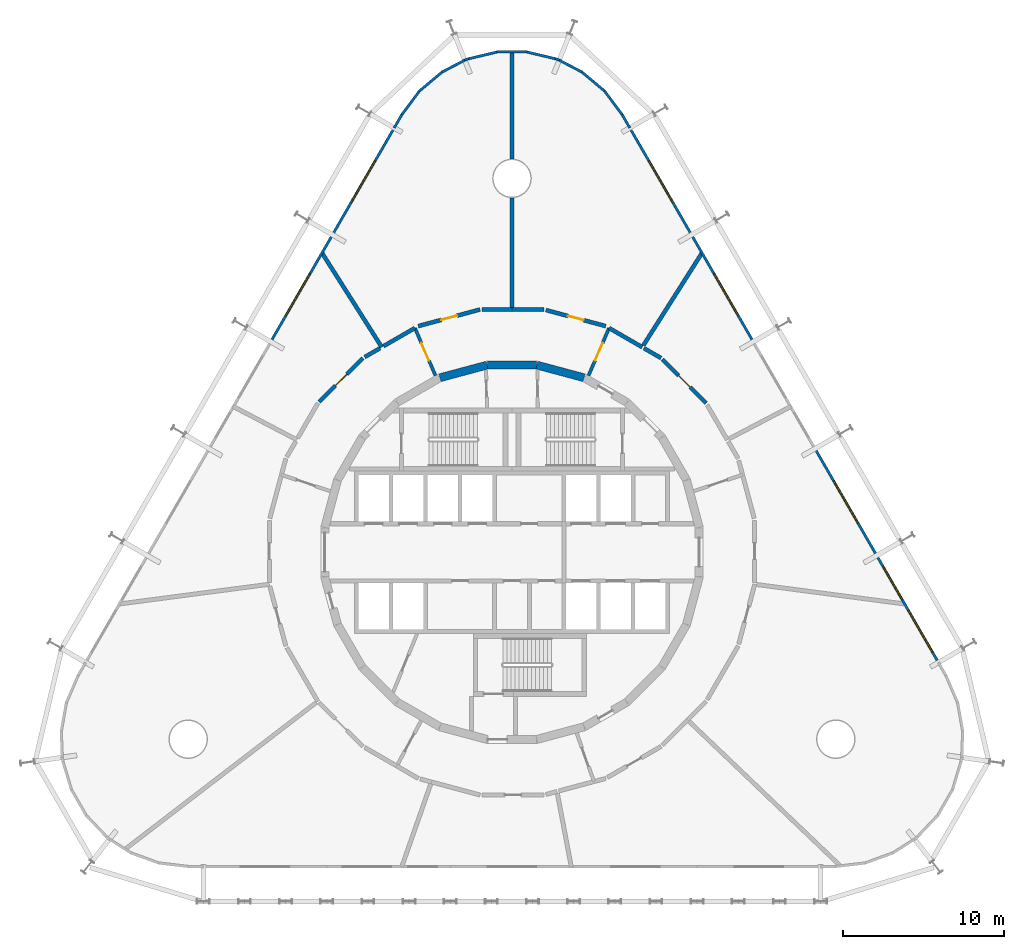
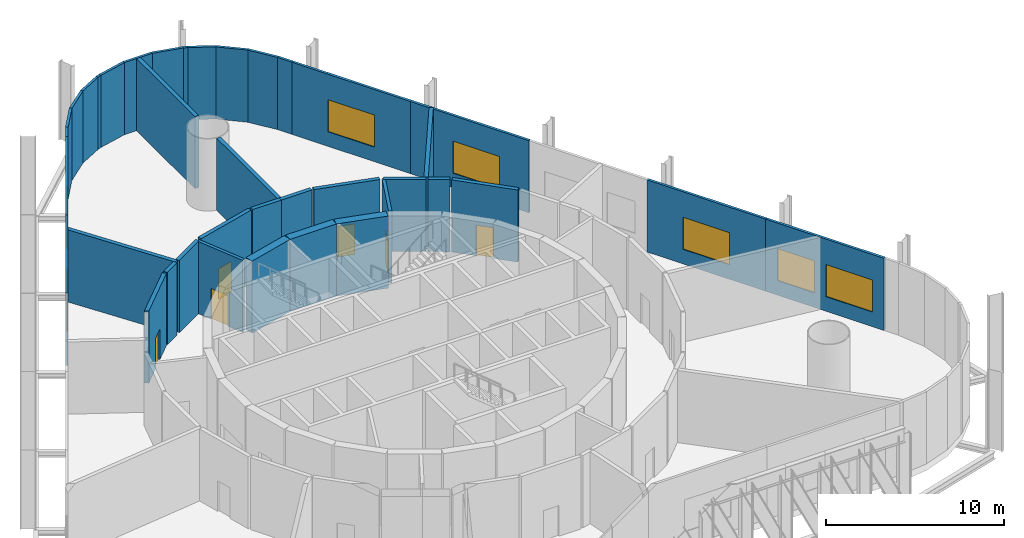
# One storey, part 9 of 11: 38 walls, 7 windows, 6 doors, 13 openings.
"""IFC4 building model written with IfcOpenShell, lengths in metres."""

from ifc_helpers import new_model, si_unit, direction, frame, frame_2d, origin, place, context, subcontext, project, spatial, rectangle, extrude, material, layer, layer_set, type_object, element, fill, save


model = new_model("IFC4")

# Units and contexts
model_context = context("Model", 3, precision=1e-05, world=origin(), true_north=direction((0.0, 1.0)))
body_context = subcontext(model_context, "Body", "Model", "MODEL_VIEW")
ifc_project = project(units=[si_unit("LENGTHUNIT", "METRE"), si_unit("AREAUNIT", "SQUARE_METRE"), si_unit("VOLUMEUNIT", "CUBIC_METRE"), si_unit("PLANEANGLEUNIT", "RADIAN"), si_unit("MASSUNIT", "GRAM", prefix="KILO")], contexts=[model_context])

# Site, building, storey
site_placement = place(None, origin())
site = spatial("IfcSite", under=ifc_project, at=site_placement, CompositionType="ELEMENT")
building_placement = place(site_placement, origin())
building = spatial("IfcBuilding", under=site, at=building_placement, Name="Spindle Arch Residences", CompositionType="ELEMENT")
storey_placement = place(building_placement, frame((0.0, 0.0, 33.0)))
storey = spatial("IfcBuildingStorey", under=building, at=storey_placement, Name="L06", CompositionType="ELEMENT", Elevation=33.0)

# Walls
ifc_material_1 = material(Name="Concrete C50/60", Category="concrete")
ifc_layer_1 = layer(ifc_material_1, 0.5)
ifc_layer_set_1 = layer_set([ifc_layer_1], Name="Core outline wall 500")
wall_type_1 = type_object("IfcWallType", Name="Core outline wall 500", PredefinedType="SHEAR", material=ifc_layer_set_1)
for number, where, z_axis, x_axis, name in (
    (1, (4.479248046875, 10.858154296875, 0.0), (0.0, 0.0, 1.0), (-0.965948410781, 0.258734743916, 0.0), "Core outline wall 11"),
    (2, (1.516357421875, 11.647216796875, 0.0), (0.0, 0.0, 1.0), (-1.0, 0.0, 0.0), "Core outline wall 12"),
    (3, (-1.5498046875, 11.642822265625, 0.0), (0.0, 0.0, 1.0), (-0.965948410781, -0.258734743916, 0.0), "Core outline wall 13"),
):
    element("IfcWall", number, at=place(storey_placement, frame(where, z_axis=z_axis, x_axis=x_axis)), inside=storey, type_object=wall_type_1, Name=name, PredefinedType="SHEAR", context=body_context, shape_type="SweptSolid", body=[
        extrude(rectangle(XDim=3.03271484375, YDim=0.5, at=frame_2d((1.516357421875, 0.0))), origin(), (0.0, 0.0, 1.0), 4.949951171875),
    ])

# Wall, openings, windows
ifc_material_2 = material(Name="Non-combustible mineral wool insulated aluminium faced external wall (K0)", Category="aluminium")
ifc_layer_2 = layer(ifc_material_2, 0.159912109375)
ifc_layer_set_2 = layer_set([ifc_layer_2], Name="Insulated external wall panel 160")
wall_type_2 = type_object("IfcWallType", Name="Insulated external wall panel 160", PredefinedType="STANDARD", material=ifc_layer_set_2)
wall_1_placement = place(storey_placement, frame((26.53076171875, -6.852783203125, 0.0), z_axis=(0.0, 0.0, 1.0), x_axis=(-0.500005879718, 0.866022009101, 0.0)))
wall_1 = element("IfcWall", 4, at=wall_1_placement, inside=storey, type_object=wall_type_2, Name="Plant wall L06 bay 6", PredefinedType="STANDARD", context=body_context, shape_type="SweptSolid", body=[
    extrude(rectangle(XDim=7.68017578125, YDim=0.159912109375, at=frame_2d((3.840087890625, 0.0))), origin(), (0.0, 0.0, 1.0), 4.949951171875),
])
opening_1_placement = place(wall_1_placement, frame((0.742919921875, 0.0, 1.0)))
opening_1 = element("IfcOpeningElement", 5, at=opening_1_placement, cuts=wall_1, Name="Opening LW1", PredefinedType="OPENING", context=body_context, shape_type="SweptSolid", body=[
    extrude(rectangle(XDim=3.0, YDim=2.199951171875, at=frame_2d((1.5, 1.10009765625))), frame((0.0, 0.08984375, 0.0), z_axis=(0.0, -1.0, 0.0), x_axis=(1.0, 0.0, 0.0)), (0.0, 0.0, 1.0), 0.179931640625),
])
opening_2_placement = place(wall_1_placement, frame((4.5078125, 0.0, 1.0)))
opening_2 = element("IfcOpeningElement", 6, at=opening_2_placement, cuts=wall_1, Name="Opening LW2", PredefinedType="OPENING", context=body_context, shape_type="SweptSolid", body=[
    extrude(rectangle(XDim=2.39990234375, YDim=2.199951171875, at=frame_2d((1.199951171875, 1.10009765625))), frame((0.0, 0.08984375, 0.0), z_axis=(0.0, -1.0, 0.0), x_axis=(1.0, 0.0, 0.0)), (0.0, 0.0, 1.0), 0.179931640625),
])
ifc_material_3 = material(Name="Bronze anodised aluminium fixed louvre", Category="aluminium")
window_type_1 = type_object("IfcWindowType", Name="Plant louvre opening 2400x2200", PartitioningType="SINGLE_PANEL", PredefinedType="WINDOW", material=ifc_material_3)
window_1_placement = place(opening_2_placement, origin())
window_1 = element("IfcWindow", 7, at=window_1_placement, inside=storey, type_object=window_type_1, Name="Louvre opening L06 bay 6.2", OverallHeight=2.199951171875, OverallWidth=2.39990234375, PartitioningType="SINGLE_PANEL", PredefinedType="WINDOW", context=body_context, shape_type="SweptSolid", body=[
    extrude(rectangle(XDim=2.39990234375, YDim=2.199951171875, at=frame_2d((1.199951171875, 1.10009765625))), frame((0.0, 0.030029296875, 0.0), z_axis=(0.0, -1.0, 0.0), x_axis=(1.0, 0.0, 0.0)), (0.0, 0.0, 1.0), 0.06005859375),
])
fill(opening_2, window_1)
ifc_material_4 = material(Name="Bronze anodised aluminium fixed louvre", Category="aluminium")
window_type_2 = type_object("IfcWindowType", Name="Plant louvre opening 3000x2200", PartitioningType="SINGLE_PANEL", PredefinedType="WINDOW", material=ifc_material_4)
window_2_placement = place(opening_1_placement, origin())
window_2 = element("IfcWindow", 8, at=window_2_placement, inside=storey, type_object=window_type_2, Name="Louvre opening L06 bay 6.1", OverallHeight=2.199951171875, OverallWidth=3.0, PartitioningType="SINGLE_PANEL", PredefinedType="WINDOW", context=body_context, shape_type="SweptSolid", body=[
    extrude(rectangle(XDim=3.0, YDim=2.199951171875, at=frame_2d((1.5, 1.10009765625))), frame((0.0, 0.030029296875, 0.0), z_axis=(0.0, -1.0, 0.0), x_axis=(1.0, 0.0, 0.0)), (0.0, 0.0, 1.0), 0.06005859375),
])
fill(opening_1, window_2)

# Wall, opening, window
wall_2_placement = place(storey_placement, frame((22.690673828125, -0.20166015625, 0.0), z_axis=(0.0, 0.0, 1.0), x_axis=(-0.499982037744, 0.86603577405, 0.0)))
wall_2 = element("IfcWall", 9, at=wall_2_placement, inside=storey, type_object=wall_type_2, Name="Plant wall L06 bay 7", PredefinedType="STANDARD", context=body_context, shape_type="SweptSolid", body=[
    extrude(rectangle(XDim=7.679931640625, YDim=0.159912109375, at=frame_2d((3.83984375, 0.0))), origin(), (0.0, 0.0, 1.0), 4.949951171875),
])
opening_3_placement = place(wall_2_placement, frame((2.340087890625, 0.0, 1.0)))
opening_3 = element("IfcOpeningElement", 10, at=opening_3_placement, cuts=wall_2, Name="Opening LW1", PredefinedType="OPENING", context=body_context, shape_type="SweptSolid", body=[
    extrude(rectangle(XDim=3.0, YDim=2.199951171875, at=frame_2d((1.5, 1.10009765625))), frame((0.0, 0.08984375, 0.0), z_axis=(0.0, -1.0, 0.0), x_axis=(1.0, 0.0, 0.0)), (0.0, 0.0, 1.0), 0.179931640625),
])
window_3_placement = place(opening_3_placement, origin())
window_3 = element("IfcWindow", 11, at=window_3_placement, inside=storey, type_object=window_type_2, Name="Louvre opening L06 bay 7.1", OverallHeight=2.199951171875, OverallWidth=3.0, PartitioningType="SINGLE_PANEL", PredefinedType="WINDOW", context=body_context, shape_type="SweptSolid", body=[
    extrude(rectangle(XDim=3.0, YDim=2.199951171875, at=frame_2d((1.5, 1.10009765625))), frame((0.0, 0.030029296875, 0.0), z_axis=(0.0, -1.0, 0.0), x_axis=(1.0, 0.0, 0.0)), (0.0, 0.0, 1.0), 0.06005859375),
])
fill(opening_3, window_3)

wall_3_placement = place(storey_placement, frame((15.0107421875, 13.1005859375, 0.0), z_axis=(0.0, 0.0, 1.0), x_axis=(-0.500005879718, 0.866022009101, 0.0)))
wall_3 = element("IfcWall", 12, at=wall_3_placement, inside=storey, type_object=wall_type_2, Name="Plant wall L06 bay 9", PredefinedType="STANDARD", context=body_context, shape_type="SweptSolid", body=[
    extrude(rectangle(XDim=7.68017578125, YDim=0.159912109375, at=frame_2d((3.840087890625, 0.0))), origin(), (0.0, 0.0, 1.0), 4.949951171875),
])
opening_4_placement = place(wall_3_placement, frame((1.90234375, 0.0, 1.0)))
opening_4 = element("IfcOpeningElement", 13, at=opening_4_placement, cuts=wall_3, Name="Opening LW1", PredefinedType="OPENING", context=body_context, shape_type="SweptSolid", body=[
    extrude(rectangle(XDim=3.0, YDim=2.199951171875, at=frame_2d((1.5, 1.10009765625))), frame((0.0, 0.08984375, 0.0), z_axis=(0.0, -1.0, 0.0), x_axis=(1.0, 0.0, 0.0)), (0.0, 0.0, 1.0), 0.179931640625),
])
window_4_placement = place(opening_4_placement, origin())
window_4 = element("IfcWindow", 14, at=window_4_placement, inside=storey, type_object=window_type_2, Name="Louvre opening L06 bay 9.1", OverallHeight=2.199951171875, OverallWidth=3.0, PartitioningType="SINGLE_PANEL", PredefinedType="WINDOW", context=body_context, shape_type="SweptSolid", body=[
    extrude(rectangle(XDim=3.0, YDim=2.199951171875, at=frame_2d((1.5, 1.10009765625))), frame((0.0, 0.030029296875, 0.0), z_axis=(0.0, -1.0, 0.0), x_axis=(1.0, 0.0, 0.0)), (0.0, 0.0, 1.0), 0.06005859375),
])
fill(opening_4, window_4)

wall_4_placement = place(storey_placement, frame((11.170654296875, 19.751708984375, 0.0), z_axis=(0.0, 0.0, 1.0), x_axis=(-0.500005879718, 0.866022009101, 0.0)))
wall_4 = element("IfcWall", 15, at=wall_4_placement, inside=storey, type_object=wall_type_2, Name="Plant wall L06 bay 10", PredefinedType="STANDARD", context=body_context, shape_type="SweptSolid", body=[
    extrude(rectangle(XDim=7.68017578125, YDim=0.159912109375, at=frame_2d((3.840087890625, 0.0))), origin(), (0.0, 0.0, 1.0), 4.949951171875),
])
opening_5_placement = place(wall_4_placement, frame((2.340087890625, 0.0, 1.0)))
opening_5 = element("IfcOpeningElement", 16, at=opening_5_placement, cuts=wall_4, Name="Opening LW1", PredefinedType="OPENING", context=body_context, shape_type="SweptSolid", body=[
    extrude(rectangle(XDim=3.0, YDim=2.199951171875, at=frame_2d((1.5, 1.10009765625))), frame((0.0, 0.08984375, 0.0), z_axis=(0.0, -1.0, 0.0), x_axis=(1.0, 0.0, 0.0)), (0.0, 0.0, 1.0), 0.179931640625),
])
window_5_placement = place(opening_5_placement, origin())
window_5 = element("IfcWindow", 17, at=window_5_placement, inside=storey, type_object=window_type_2, Name="Louvre opening L06 bay 10.1", OverallHeight=2.199951171875, OverallWidth=3.0, PartitioningType="SINGLE_PANEL", PredefinedType="WINDOW", context=body_context, shape_type="SweptSolid", body=[
    extrude(rectangle(XDim=3.0, YDim=2.199951171875, at=frame_2d((1.5, 1.10009765625))), frame((0.0, 0.030029296875, 0.0), z_axis=(0.0, -1.0, 0.0), x_axis=(1.0, 0.0, 0.0)), (0.0, 0.0, 1.0), 0.06005859375),
])
fill(opening_5, window_5)

# Walls
wall_5_placement = place(storey_placement, frame((7.33056640625, 26.40283203125, 0.0), z_axis=(0.0, 0.0, 1.0), x_axis=(-0.499916178513, 0.866073792734, 0.0)))
element("IfcWall", 18, at=wall_5_placement, inside=storey, type_object=wall_type_2, Name="Plant wall L06 bay 11.1", PredefinedType="STANDARD", context=body_context, shape_type="SweptSolid", body=[
    extrude(rectangle(XDim=0.945556640625, YDim=0.159912109375, at=frame_2d((0.47265625, 0.0))), origin(), (0.0, 0.0, 1.0), 4.949951171875),
])
wall_6_placement = place(storey_placement, frame((6.8603515625, 27.218017578125, 0.0), z_axis=(0.0, 0.0, 1.0), x_axis=(-0.597202782017, 0.802090292393, 0.0)))
element("IfcWall", 19, at=wall_6_placement, inside=storey, type_object=wall_type_2, Name="Plant wall L06 bay 11.2", PredefinedType="STANDARD", context=body_context, shape_type="SweptSolid", body=[
    extrude(rectangle(XDim=1.845703125, YDim=0.159912109375, at=frame_2d((0.9228515625, 0.0))), origin(), (0.0, 0.0, 1.0), 4.949951171875),
])
wall_7_placement = place(storey_placement, frame((5.764404296875, 28.69189453125, 0.0), z_axis=(0.0, 0.0, 1.0), x_axis=(-0.766050926865, 0.64277988258, 0.0)))
element("IfcWall", 20, at=wall_7_placement, inside=storey, type_object=wall_type_2, Name="Plant wall L06 bay 11.3", PredefinedType="STANDARD", context=body_context, shape_type="SweptSolid", body=[
    extrude(rectangle(XDim=1.847900390625, YDim=0.159912109375, at=frame_2d((0.923828125, 0.0))), origin(), (0.0, 0.0, 1.0), 4.949951171875),
])
wall_8_placement = place(storey_placement, frame((4.35595703125, 29.875, 0.0), z_axis=(0.0, 0.0, 1.0), x_axis=(-0.886563052372, 0.462607775734, 0.0)))
element("IfcWall", 21, at=wall_8_placement, inside=storey, type_object=wall_type_2, Name="Plant wall L06 bay 11.4", PredefinedType="STANDARD", context=body_context, shape_type="SweptSolid", body=[
    extrude(rectangle(XDim=1.59814453125, YDim=0.159912109375, at=frame_2d((0.799072265625, 0.0))), origin(), (0.0, 0.0, 1.0), 4.949951171875),
])
wall_9_placement = place(storey_placement, frame((2.939208984375, 30.6142578125, 0.0), z_axis=(0.0, 0.0, 1.0), x_axis=(-0.934301433369, 0.356483985059, 0.0)))
element("IfcWall", 22, at=wall_9_placement, inside=storey, type_object=wall_type_2, Name="Plant wall L06 bay 12.1", PredefinedType="STANDARD", context=body_context, shape_type="SweptSolid", body=[
    extrude(rectangle(XDim=0.249267578125, YDim=0.159912109375, at=frame_2d((0.12451171875, 0.0))), origin(), (0.0, 0.0, 1.0), 4.949951171875),
])
wall_10_placement = place(storey_placement, frame((2.71142578125, 30.70166015625, 0.0), z_axis=(0.0, 0.0, 1.0), x_axis=(-0.973077946325, 0.230476268575, 0.0)))
element("IfcWall", 23, at=wall_10_placement, inside=storey, type_object=wall_type_2, Name="Plant wall L06 bay 12.2", PredefinedType="STANDARD", context=body_context, shape_type="SweptSolid", body=[
    extrude(rectangle(XDim=1.846435546875, YDim=0.159912109375, at=frame_2d((0.92333984375, 0.0))), origin(), (0.0, 0.0, 1.0), 4.949951171875),
])
wall_11_placement = place(storey_placement, frame((0.924072265625, 31.126220703125, 0.0), z_axis=(0.0, 0.0, 1.0), x_axis=(-1.0, 0.0, 0.0)))
element("IfcWall", 24, at=wall_11_placement, inside=storey, type_object=wall_type_2, Name="Plant wall L06 bay 12.3", PredefinedType="STANDARD", context=body_context, shape_type="SweptSolid", body=[
    extrude(rectangle(XDim=1.84814453125, YDim=0.159912109375, at=frame_2d((0.924072265625, 0.0))), origin(), (0.0, 0.0, 1.0), 4.949951171875),
])
wall_12_placement = place(storey_placement, frame((-0.914794921875, 31.127197265625, 0.0), z_axis=(0.0, 0.0, 1.0), x_axis=(-0.973077946325, -0.230476268575, 0.0)))
element("IfcWall", 25, at=wall_12_placement, inside=storey, type_object=wall_type_2, Name="Plant wall L06 bay 12.4", PredefinedType="STANDARD", context=body_context, shape_type="SweptSolid", body=[
    extrude(rectangle(XDim=1.846435546875, YDim=0.159912109375, at=frame_2d((0.92333984375, 0.0))), origin(), (0.0, 0.0, 1.0), 4.949951171875),
])
wall_13_placement = place(storey_placement, frame((-2.706298828125, 30.703125, 0.0), z_axis=(0.0, 0.0, 1.0), x_axis=(-0.934301433369, -0.356483985059, 0.0)))
element("IfcWall", 26, at=wall_13_placement, inside=storey, type_object=wall_type_2, Name="Plant wall L06 bay 12.5", PredefinedType="STANDARD", context=body_context, shape_type="SweptSolid", body=[
    extrude(rectangle(XDim=0.249267578125, YDim=0.159912109375, at=frame_2d((0.12451171875, 0.0))), origin(), (0.0, 0.0, 1.0), 4.949951171875),
])
wall_14_placement = place(storey_placement, frame((-2.939208984375, 30.6142578125, 0.0), z_axis=(0.0, 0.0, 1.0), x_axis=(-0.886563052372, -0.462607775734, 0.0)))
element("IfcWall", 27, at=wall_14_placement, inside=storey, type_object=wall_type_2, Name="Plant wall L06 bay 13.1", PredefinedType="STANDARD", context=body_context, shape_type="SweptSolid", body=[
    extrude(rectangle(XDim=1.59814453125, YDim=0.159912109375, at=frame_2d((0.799072265625, 0.0))), origin(), (0.0, 0.0, 1.0), 4.949951171875),
])
wall_15_placement = place(storey_placement, frame((-4.348876953125, 29.879638671875, 0.0), z_axis=(0.0, 0.0, 1.0), x_axis=(-0.766050926865, -0.64277988258, 0.0)))
element("IfcWall", 28, at=wall_15_placement, inside=storey, type_object=wall_type_2, Name="Plant wall L06 bay 13.2", PredefinedType="STANDARD", context=body_context, shape_type="SweptSolid", body=[
    extrude(rectangle(XDim=1.847900390625, YDim=0.159912109375, at=frame_2d((0.923828125, 0.0))), origin(), (0.0, 0.0, 1.0), 4.949951171875),
])
wall_16_placement = place(storey_placement, frame((-5.758056640625, 28.698486328125, 0.0), z_axis=(0.0, 0.0, 1.0), x_axis=(-0.597202782017, -0.802090292393, 0.0)))
element("IfcWall", 29, at=wall_16_placement, inside=storey, type_object=wall_type_2, Name="Plant wall L06 bay 13.3", PredefinedType="STANDARD", context=body_context, shape_type="SweptSolid", body=[
    extrude(rectangle(XDim=1.845703125, YDim=0.159912109375, at=frame_2d((0.9228515625, 0.0))), origin(), (0.0, 0.0, 1.0), 4.949951171875),
])
wall_17_placement = place(storey_placement, frame((-6.85791015625, 27.2216796875, 0.0), z_axis=(0.0, 0.0, 1.0), x_axis=(-0.499916178513, -0.866073792734, 0.0)))
element("IfcWall", 30, at=wall_17_placement, inside=storey, type_object=wall_type_2, Name="Plant wall L06 bay 13.4", PredefinedType="STANDARD", context=body_context, shape_type="SweptSolid", body=[
    extrude(rectangle(XDim=0.945556640625, YDim=0.159912109375, at=frame_2d((0.47265625, 0.0))), origin(), (0.0, 0.0, 1.0), 4.949951171875),
])

# Wall, opening, window
wall_18_placement = place(storey_placement, frame((-7.33056640625, 26.40283203125, 0.0), z_axis=(0.0, 0.0, 1.0), x_axis=(-0.500005879718, -0.866022009101, 0.0)))
wall_18 = element("IfcWall", 31, at=wall_18_placement, inside=storey, type_object=wall_type_2, Name="Plant wall L06 bay 14", PredefinedType="STANDARD", context=body_context, shape_type="SweptSolid", body=[
    extrude(rectangle(XDim=7.68017578125, YDim=0.159912109375, at=frame_2d((3.840087890625, 0.0))), origin(), (0.0, 0.0, 1.0), 4.949951171875),
])
opening_6_placement = place(wall_18_placement, frame((2.340087890625, 0.0, 1.0)))
opening_6 = element("IfcOpeningElement", 32, at=opening_6_placement, cuts=wall_18, Name="Opening LW1", PredefinedType="OPENING", context=body_context, shape_type="SweptSolid", body=[
    extrude(rectangle(XDim=3.0, YDim=2.199951171875, at=frame_2d((1.5, 1.10009765625))), frame((0.0, 0.08984375, 0.0), z_axis=(0.0, -1.0, 0.0), x_axis=(1.0, 0.0, 0.0)), (0.0, 0.0, 1.0), 0.179931640625),
])
window_6_placement = place(opening_6_placement, origin())
window_6 = element("IfcWindow", 33, at=window_6_placement, inside=storey, type_object=window_type_2, Name="Louvre opening L06 bay 14.1", OverallHeight=2.199951171875, OverallWidth=3.0, PartitioningType="SINGLE_PANEL", PredefinedType="WINDOW", context=body_context, shape_type="SweptSolid", body=[
    extrude(rectangle(XDim=3.0, YDim=2.199951171875, at=frame_2d((1.5, 1.10009765625))), frame((0.0, 0.030029296875, 0.0), z_axis=(0.0, -1.0, 0.0), x_axis=(1.0, 0.0, 0.0)), (0.0, 0.0, 1.0), 0.06005859375),
])
fill(opening_6, window_6)

wall_19_placement = place(storey_placement, frame((-11.170654296875, 19.751708984375, 0.0), z_axis=(0.0, 0.0, 1.0), x_axis=(-0.500005879718, -0.866022009101, 0.0)))
wall_19 = element("IfcWall", 34, at=wall_19_placement, inside=storey, type_object=wall_type_2, Name="Plant wall L06 bay 15", PredefinedType="STANDARD", context=body_context, shape_type="SweptSolid", body=[
    extrude(rectangle(XDim=7.68017578125, YDim=0.159912109375, at=frame_2d((3.840087890625, 0.0))), origin(), (0.0, 0.0, 1.0), 4.949951171875),
])
opening_7_placement = place(wall_19_placement, frame((2.77783203125, 0.0, 1.0)))
opening_7 = element("IfcOpeningElement", 35, at=opening_7_placement, cuts=wall_19, Name="Opening LW1", PredefinedType="OPENING", context=body_context, shape_type="SweptSolid", body=[
    extrude(rectangle(XDim=3.0, YDim=2.199951171875, at=frame_2d((1.5, 1.10009765625))), frame((0.0, 0.08984375, 0.0), z_axis=(0.0, -1.0, 0.0), x_axis=(1.0, 0.0, 0.0)), (0.0, 0.0, 1.0), 0.179931640625),
])
window_7_placement = place(opening_7_placement, origin())
window_7 = element("IfcWindow", 36, at=window_7_placement, inside=storey, type_object=window_type_2, Name="Louvre opening L06 bay 15.1", OverallHeight=2.199951171875, OverallWidth=3.0, PartitioningType="SINGLE_PANEL", PredefinedType="WINDOW", context=body_context, shape_type="SweptSolid", body=[
    extrude(rectangle(XDim=3.0, YDim=2.199951171875, at=frame_2d((1.5, 1.10009765625))), frame((0.0, 0.030029296875, 0.0), z_axis=(0.0, -1.0, 0.0), x_axis=(1.0, 0.0, 0.0)), (0.0, 0.0, 1.0), 0.06005859375),
])
fill(opening_7, window_7)

# Walls
ifc_material_5 = material(Name="Concrete C25/30 wall", Category="concrete")
ifc_layer_3 = layer(ifc_material_5, 0.25)
ifc_layer_set_3 = layer_set([ifc_layer_3], Name="Partition EI 150 250 electrical")
wall_type_3 = type_object("IfcWallType", Name="Partition EI 150 250 electrical", PredefinedType="PARTITIONING", material=ifc_layer_set_3)
wall_20_placement = place(storey_placement, frame((-8.10009765625, 12.760009765625, 0.0), z_axis=(0.0, 0.0, 1.0), x_axis=(-0.535848500159, 0.844314150585, 0.0)))
element("IfcWall", 37, at=wall_20_placement, inside=storey, type_object=wall_type_3, Name="L06-W014", PredefinedType="PARTITIONING", context=body_context, shape_type="SweptSolid", body=[
    extrude(rectangle(XDim=6.955322265625, YDim=0.25, at=frame_2d((3.4775390625, 0.0))), origin(), (0.0, 0.0, 1.0), 4.949951171875),
])
wall_21_placement = place(storey_placement, frame((-7.99169921875, 12.822509765625, 0.0), z_axis=(0.0, 0.0, 1.0), x_axis=(0.865900522319, 0.500216238688, 0.0)))
element("IfcWall", 38, at=wall_21_placement, inside=storey, type_object=wall_type_3, Name="L06-W016", PredefinedType="PARTITIONING", context=body_context, shape_type="SweptSolid", body=[
    extrude(rectangle(XDim=2.25390625, YDim=0.25, at=frame_2d((1.126953125, 0.0))), origin(), (0.0, 0.0, 1.0), 4.949951171875),
])

# Wall, opening, door
wall_22_placement = place(storey_placement, frame((-1.989990234375, 15.10009765625, 0.0), z_axis=(0.0, 0.0, 1.0), x_axis=(-0.965857829358, -0.259072679895, 0.0)))
wall_22 = element("IfcWall", 39, at=wall_22_placement, inside=storey, type_object=wall_type_3, Name="L06-W024", PredefinedType="PARTITIONING", context=body_context, shape_type="SweptSolid", body=[
    extrude(rectangle(XDim=3.975830078125, YDim=0.25, at=frame_2d((1.98779296875, 0.0))), origin(), (0.0, 0.0, 1.0), 4.949951171875),
])
opening_8_placement = place(wall_22_placement, frame((1.48779296875, 0.0, 0.0)))
opening_8 = element("IfcOpeningElement", 40, at=opening_8_placement, cuts=wall_22, Name="Opening L06-D10", PredefinedType="OPENING", context=body_context, shape_type="SweptSolid", body=[
    extrude(rectangle(XDim=1.0, YDim=2.10009765625, at=frame_2d((0.5, 1.050048828125))), frame((0.0, 0.135009765625, 0.0), z_axis=(0.0, -1.0, 0.0), x_axis=(1.0, 0.0, 0.0)), (0.0, 0.0, 1.0), 0.27001953125),
])
ifc_material_6 = material(Name="Steel door leaf, painted", Category="steel")
door_type_1 = type_object("IfcDoorType", Name="Door 1000x2100 EI 60", OperationType="SINGLE_SWING_LEFT", PredefinedType="DOOR", material=ifc_material_6)
door_1_placement = place(opening_8_placement, origin())
door_1 = element("IfcDoor", 41, at=door_1_placement, inside=storey, type_object=door_type_1, Name="L06-D10", OperationType="SINGLE_SWING_LEFT", OverallHeight=2.10009765625, OverallWidth=1.0, PredefinedType="DOOR", context=body_context, shape_type="SweptSolid", body=[
    extrude(rectangle(XDim=1.0, YDim=2.10009765625, at=frame_2d((0.5, 1.050048828125))), frame((0.0, 0.02490234375, 0.0), z_axis=(0.0, -1.0, 0.0), x_axis=(1.0, 0.0, 0.0)), (0.0, 0.0, 1.0), 0.050048828125),
])
fill(opening_8, door_1)

# Walls
wall_23_placement = place(storey_placement, frame((0.0, 15.10009765625, 0.0), z_axis=(0.0, 0.0, 1.0), x_axis=(-1.0, 0.0, 0.0)))
element("IfcWall", 42, at=wall_23_placement, inside=storey, type_object=wall_type_3, Name="L06-W025", PredefinedType="PARTITIONING", context=body_context, shape_type="SweptSolid", body=[
    extrude(rectangle(XDim=1.864990234375, YDim=0.25, at=frame_2d((0.9326171875, 0.0))), origin(), (0.0, 0.0, 1.0), 4.949951171875),
])
wall_24_placement = place(storey_placement, frame((0.0, 15.22509765625, 0.0), z_axis=(0.0, 0.0, 1.0), x_axis=(0.0, 1.0, 0.0)))
element("IfcWall", 43, at=wall_24_placement, inside=storey, type_object=wall_type_3, Name="L06-W026", PredefinedType="PARTITIONING", context=body_context, shape_type="SweptSolid", body=[
    extrude(rectangle(XDim=6.814697265625, YDim=0.25, at=frame_2d((3.4072265625, 0.0))), origin(), (0.0, 0.0, 1.0), 4.949951171875),
])
wall_25_placement = place(storey_placement, frame((0.0, 24.479736328125, 0.0), z_axis=(0.0, 0.0, 1.0), x_axis=(0.0, 1.0, 0.0)))
element("IfcWall", 44, at=wall_25_placement, inside=storey, type_object=wall_type_3, Name="L06-W027", PredefinedType="PARTITIONING", context=body_context, shape_type="SweptSolid", body=[
    extrude(rectangle(XDim=6.650146484375, YDim=0.25, at=frame_2d((3.3251953125, 0.0))), origin(), (0.0, 0.0, 1.0), 4.949951171875),
])
wall_26_placement = place(storey_placement, frame((1.989990234375, 15.10009765625, 0.0), z_axis=(0.0, 0.0, 1.0), x_axis=(-1.0, 0.0, 0.0)))
element("IfcWall", 45, at=wall_26_placement, inside=storey, type_object=wall_type_3, Name="L06-W029", PredefinedType="PARTITIONING", context=body_context, shape_type="SweptSolid", body=[
    extrude(rectangle(XDim=1.989990234375, YDim=0.25, at=frame_2d((0.9951171875, 0.0))), origin(), (0.0, 0.0, 1.0), 4.949951171875),
])

# Wall, opening, door
wall_27_placement = place(storey_placement, frame((5.830078125, 14.070068359375, 0.0), z_axis=(0.0, 0.0, 1.0), x_axis=(-0.965861411942, 0.259059323171, 0.0)))
wall_27 = element("IfcWall", 46, at=wall_27_placement, inside=storey, type_object=wall_type_3, Name="L06-W035", PredefinedType="PARTITIONING", context=body_context, shape_type="SweptSolid", body=[
    extrude(rectangle(XDim=3.8505859375, YDim=0.25, at=frame_2d((1.92529296875, 0.0))), origin(), (0.0, 0.0, 1.0), 4.949951171875),
])
opening_9_placement = place(wall_27_placement, frame((1.42529296875, 0.0, 0.0)))
opening_9 = element("IfcOpeningElement", 47, at=opening_9_placement, cuts=wall_27, Name="Opening L06-D11", PredefinedType="OPENING", context=body_context, shape_type="SweptSolid", body=[
    extrude(rectangle(XDim=1.0, YDim=2.10009765625, at=frame_2d((0.5, 1.050048828125))), frame((0.0, 0.135009765625, 0.0), z_axis=(0.0, -1.0, 0.0), x_axis=(1.0, 0.0, 0.0)), (0.0, 0.0, 1.0), 0.27001953125),
])
door_2_placement = place(opening_9_placement, origin())
door_2 = element("IfcDoor", 48, at=door_2_placement, inside=storey, type_object=door_type_1, Name="L06-D11", OperationType="SINGLE_SWING_LEFT", OverallHeight=2.10009765625, OverallWidth=1.0, PredefinedType="DOOR", context=body_context, shape_type="SweptSolid", body=[
    extrude(rectangle(XDim=1.0, YDim=2.10009765625, at=frame_2d((0.5, 1.050048828125))), frame((0.0, 0.02490234375, 0.0), z_axis=(0.0, -1.0, 0.0), x_axis=(1.0, 0.0, 0.0)), (0.0, 0.0, 1.0), 0.050048828125),
])
fill(opening_9, door_2)

# Walls
wall_28_placement = place(storey_placement, frame((6.0400390625, 13.949951171875, 0.0), z_axis=(0.0, 0.0, 1.0), x_axis=(0.865922362496, -0.500178430292, 0.0)))
element("IfcWall", 49, at=wall_28_placement, inside=storey, type_object=wall_type_3, Name="L06-W036", PredefinedType="PARTITIONING", context=body_context, shape_type="SweptSolid", body=[
    extrude(rectangle(XDim=2.379150390625, YDim=0.25, at=frame_2d((1.189453125, 0.0))), origin(), (0.0, 0.0, 1.0), 4.949951171875),
])
wall_29_placement = place(storey_placement, frame((8.1669921875, 12.865478515625, 0.0), z_axis=(0.0, 0.0, 1.0), x_axis=(0.535852860109, 0.844311383503, 0.0)))
element("IfcWall", 50, at=wall_29_placement, inside=storey, type_object=wall_type_3, Name="L06-W037", PredefinedType="PARTITIONING", context=body_context, shape_type="SweptSolid", body=[
    extrude(rectangle(XDim=6.83056640625, YDim=0.25, at=frame_2d((3.415283203125, 0.0))), origin(), (0.0, 0.0, 1.0), 4.949951171875),
])

# Wall, opening, door
ifc_material_7 = material(Name="Gypsum board partition on steel studs", Category="steel")
ifc_layer_4 = layer(ifc_material_7, 0.199951171875)
ifc_layer_set_4 = layer_set([ifc_layer_4], Name="Partition EI 60 200 amenity")
wall_type_4 = type_object("IfcWallType", Name="Partition EI 60 200 amenity", PredefinedType="PARTITIONING", material=ifc_layer_set_4)
wall_30_placement = place(storey_placement, frame((-6.03955078125, 13.948974609375, 0.0), z_axis=(0.0, 0.0, 1.0), x_axis=(0.396905977672, -0.917859272922, 0.0)))
wall_30 = element("IfcWall", 51, at=wall_30_placement, inside=storey, type_object=wall_type_4, Name="L06-W019", PredefinedType="PARTITIONING", context=body_context, shape_type="SweptSolid", body=[
    extrude(rectangle(XDim=3.223876953125, YDim=0.199951171875, at=frame_2d((1.61181640625, 0.0))), origin(), (0.0, 0.0, 1.0), 4.949951171875),
])
opening_10_placement = place(wall_30_placement, frame((1.011962890625, 0.0, 0.0)))
opening_10 = element("IfcOpeningElement", 52, at=opening_10_placement, cuts=wall_30, Name="Opening L06-D14", PredefinedType="OPENING", context=body_context, shape_type="SweptSolid", body=[
    extrude(rectangle(XDim=1.199951171875, YDim=2.10009765625, at=frame_2d((0.60009765625, 1.050048828125))), frame((0.0, 0.10986328125, 0.0), z_axis=(0.0, -1.0, 0.0), x_axis=(1.0, 0.0, 0.0)), (0.0, 0.0, 1.0), 0.219970703125),
])
ifc_material_8 = material(Name="Steel door leaf, painted", Category="steel")
door_type_2 = type_object("IfcDoorType", Name="Door 1200x2100 EI 60", OperationType="SINGLE_SWING_LEFT", PredefinedType="DOOR", material=ifc_material_8)
door_3_placement = place(opening_10_placement, origin())
door_3 = element("IfcDoor", 53, at=door_3_placement, inside=storey, type_object=door_type_2, Name="L06-D14", OperationType="SINGLE_SWING_LEFT", OverallHeight=2.10009765625, OverallWidth=1.199951171875, PredefinedType="DOOR", context=body_context, shape_type="SweptSolid", body=[
    extrude(rectangle(XDim=1.199951171875, YDim=2.10009765625, at=frame_2d((0.60009765625, 1.050048828125))), frame((0.0, 0.02490234375, 0.0), z_axis=(0.0, -1.0, 0.0), x_axis=(1.0, 0.0, 0.0)), (0.0, 0.0, 1.0), 0.050048828125),
])
fill(opening_10, door_3)

wall_31_placement = place(storey_placement, frame((4.760009765625, 10.989990234375, 0.0), z_axis=(0.0, 0.0, 1.0), x_axis=(0.396905977672, 0.917859272922, 0.0)))
wall_31 = element("IfcWall", 54, at=wall_31_placement, inside=storey, type_object=wall_type_4, Name="L06-W033", PredefinedType="PARTITIONING", context=body_context, shape_type="SweptSolid", body=[
    extrude(rectangle(XDim=3.223876953125, YDim=0.199951171875, at=frame_2d((1.61181640625, 0.0))), origin(), (0.0, 0.0, 1.0), 4.949951171875),
])
opening_11_placement = place(wall_31_placement, frame((1.011962890625, 0.0, 0.0)))
opening_11 = element("IfcOpeningElement", 55, at=opening_11_placement, cuts=wall_31, Name="Opening L06-D16", PredefinedType="OPENING", context=body_context, shape_type="SweptSolid", body=[
    extrude(rectangle(XDim=1.199951171875, YDim=2.10009765625, at=frame_2d((0.60009765625, 1.050048828125))), frame((0.0, 0.10986328125, 0.0), z_axis=(0.0, -1.0, 0.0), x_axis=(1.0, 0.0, 0.0)), (0.0, 0.0, 1.0), 0.219970703125),
])
door_4_placement = place(opening_11_placement, origin())
door_4 = element("IfcDoor", 56, at=door_4_placement, inside=storey, type_object=door_type_2, Name="L06-D16", OperationType="SINGLE_SWING_LEFT", OverallHeight=2.10009765625, OverallWidth=1.199951171875, PredefinedType="DOOR", context=body_context, shape_type="SweptSolid", body=[
    extrude(rectangle(XDim=1.199951171875, YDim=2.10009765625, at=frame_2d((0.60009765625, 1.050048828125))), frame((0.0, 0.02490234375, 0.0), z_axis=(0.0, -1.0, 0.0), x_axis=(1.0, 0.0, 0.0)), (0.0, 0.0, 1.0), 0.050048828125),
])
fill(opening_11, door_4)

ifc_material_9 = material(Name="Concrete C25/30 wall", Category="concrete")
ifc_layer_5 = layer(ifc_material_9, 0.25)
ifc_layer_set_5 = layer_set([ifc_layer_5], Name="Partition REI 120 250 refuge")
wall_type_5 = type_object("IfcWallType", Name="Partition REI 120 250 refuge", PredefinedType="PARTITIONING", material=ifc_layer_set_5)
wall_32_placement = place(storey_placement, frame((-9.27001953125, 12.080078125, 0.0), z_axis=(0.0, 0.0, 1.0), x_axis=(-0.707106781187, -0.707106781187, 0.0)))
wall_32 = element("IfcWall", 57, at=wall_32_placement, inside=storey, type_object=wall_type_5, Name="L06-W013", PredefinedType="PARTITIONING", context=body_context, shape_type="SweptSolid", body=[
    extrude(rectangle(XDim=3.84912109375, YDim=0.25, at=frame_2d((1.924560546875, 0.0))), origin(), (0.0, 0.0, 1.0), 4.949951171875),
])
opening_12_placement = place(wall_32_placement, frame((1.424560546875, 0.0, 0.0)))
opening_12 = element("IfcOpeningElement", 58, at=opening_12_placement, cuts=wall_32, Name="Opening L06-D08", PredefinedType="OPENING", context=body_context, shape_type="SweptSolid", body=[
    extrude(rectangle(XDim=1.0, YDim=2.10009765625, at=frame_2d((0.5, 1.050048828125))), frame((0.0, 0.135009765625, 0.0), z_axis=(0.0, -1.0, 0.0), x_axis=(1.0, 0.0, 0.0)), (0.0, 0.0, 1.0), 0.27001953125),
])
door_5_placement = place(opening_12_placement, origin())
door_5 = element("IfcDoor", 59, at=door_5_placement, inside=storey, type_object=door_type_1, Name="L06-D08", OperationType="SINGLE_SWING_LEFT", OverallHeight=2.10009765625, OverallWidth=1.0, PredefinedType="DOOR", context=body_context, shape_type="SweptSolid", body=[
    extrude(rectangle(XDim=1.0, YDim=2.10009765625, at=frame_2d((0.5, 1.050048828125))), frame((0.0, 0.02490234375, 0.0), z_axis=(0.0, -1.0, 0.0), x_axis=(1.0, 0.0, 0.0)), (0.0, 0.0, 1.0), 0.050048828125),
])
fill(opening_12, door_5)

# Walls
wall_33_placement = place(storey_placement, frame((-8.2080078125, 12.697265625, 0.0), z_axis=(0.0, 0.0, 1.0), x_axis=(-0.86455637663, -0.502535841138, 0.0)))
element("IfcWall", 60, at=wall_33_placement, inside=storey, type_object=wall_type_5, Name="L06-W015", PredefinedType="PARTITIONING", context=body_context, shape_type="SweptSolid", body=[
    extrude(rectangle(XDim=1.103271484375, YDim=0.25, at=frame_2d((0.5517578125, 0.0))), origin(), (0.0, 0.0, 1.0), 4.949951171875),
])
wall_34_placement = place(storey_placement, frame((9.27001953125, 12.080078125, 0.0), z_axis=(0.0, 0.0, 1.0), x_axis=(-0.864599561852, 0.502461538474, 0.0)))
element("IfcWall", 61, at=wall_34_placement, inside=storey, type_object=wall_type_5, Name="L06-W039", PredefinedType="PARTITIONING", context=body_context, shape_type="SweptSolid", body=[
    extrude(rectangle(XDim=1.228271484375, YDim=0.25, at=frame_2d((0.6142578125, 0.0))), origin(), (0.0, 0.0, 1.0), 4.949951171875),
])

# Wall, opening, door
wall_35_placement = place(storey_placement, frame((12.080078125, 9.27001953125, 0.0), z_axis=(0.0, 0.0, 1.0), x_axis=(-0.707106781187, 0.707106781187, 0.0)))
wall_35 = element("IfcWall", 62, at=wall_35_placement, inside=storey, type_object=wall_type_5, Name="L06-W043", PredefinedType="PARTITIONING", context=body_context, shape_type="SweptSolid", body=[
    extrude(rectangle(XDim=3.84912109375, YDim=0.25, at=frame_2d((1.924560546875, 0.0))), origin(), (0.0, 0.0, 1.0), 4.949951171875),
])
opening_13_placement = place(wall_35_placement, frame((1.424560546875, 0.0, 0.0)))
opening_13 = element("IfcOpeningElement", 63, at=opening_13_placement, cuts=wall_35, Name="Opening L06-D09", PredefinedType="OPENING", context=body_context, shape_type="SweptSolid", body=[
    extrude(rectangle(XDim=1.0, YDim=2.10009765625, at=frame_2d((0.5, 1.050048828125))), frame((0.0, 0.135009765625, 0.0), z_axis=(0.0, -1.0, 0.0), x_axis=(1.0, 0.0, 0.0)), (0.0, 0.0, 1.0), 0.27001953125),
])
door_6_placement = place(opening_13_placement, origin())
door_6 = element("IfcDoor", 64, at=door_6_placement, inside=storey, type_object=door_type_1, Name="L06-D09", OperationType="SINGLE_SWING_LEFT", OverallHeight=2.10009765625, OverallWidth=1.0, PredefinedType="DOOR", context=body_context, shape_type="SweptSolid", body=[
    extrude(rectangle(XDim=1.0, YDim=2.10009765625, at=frame_2d((0.5, 1.050048828125))), frame((0.0, 0.02490234375, 0.0), z_axis=(0.0, -1.0, 0.0), x_axis=(1.0, 0.0, 0.0)), (0.0, 0.0, 1.0), 0.050048828125),
])
fill(opening_13, door_6)

save(model, "model.ifc")
